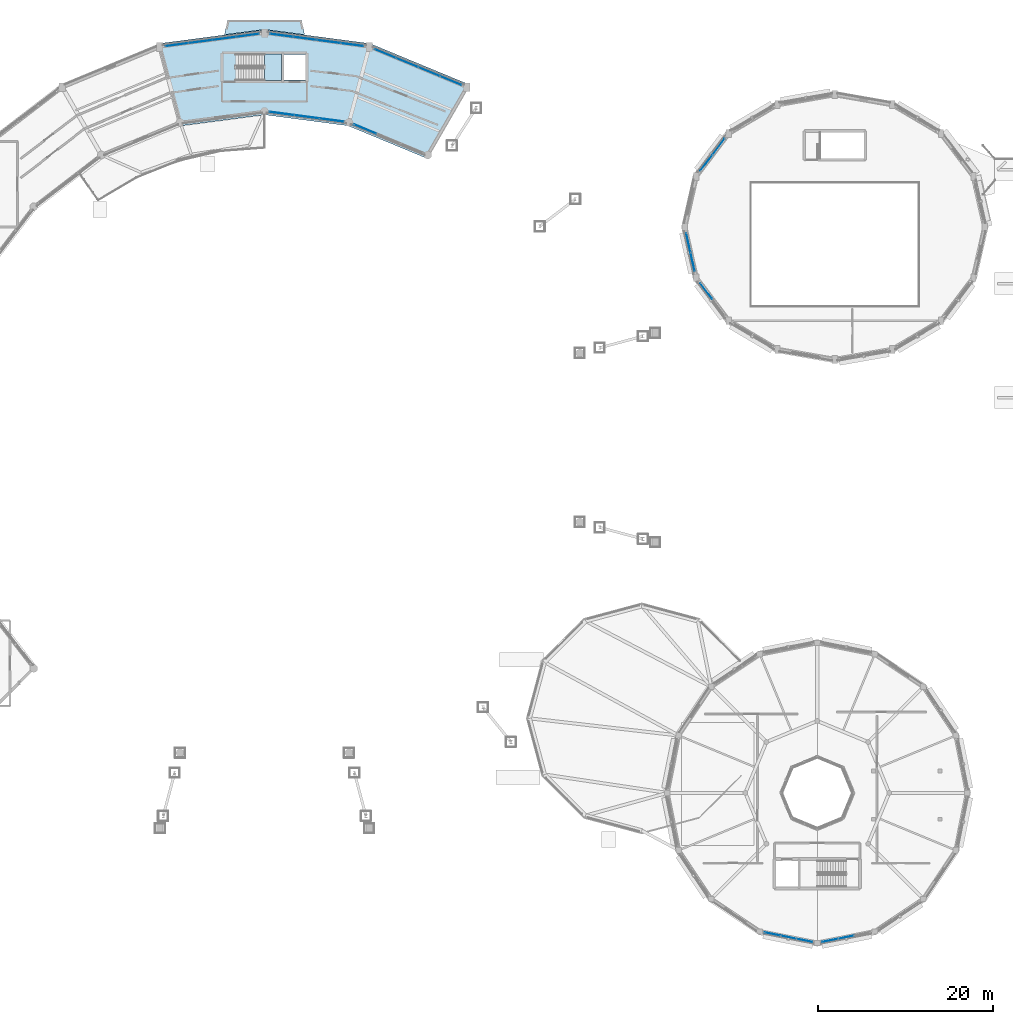
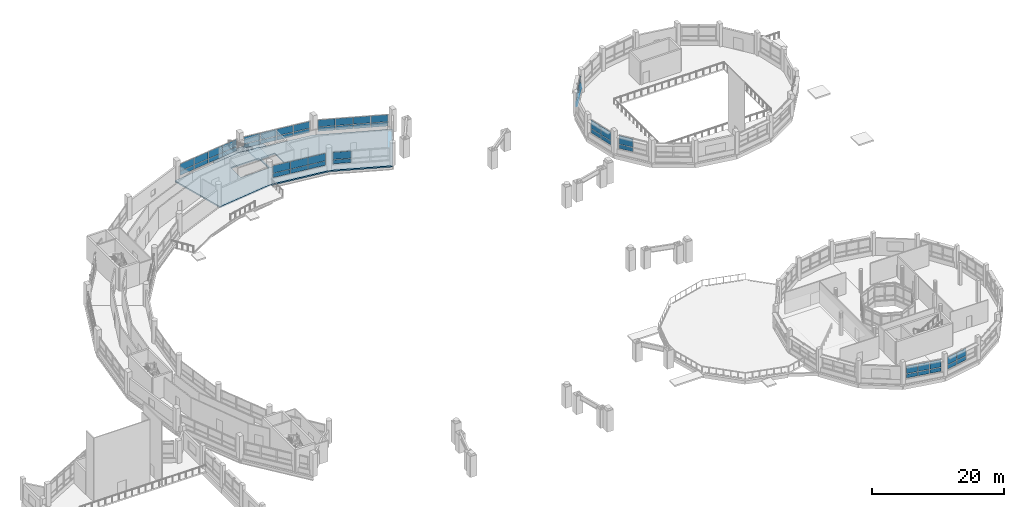
# One storey, part 104 of 128: 52 plates, 3 slabs, 11 elements without a shape of their own.
"""IFC4 building model written with IfcOpenShell, lengths in metres."""

from ifc_helpers import new_model, si_unit, direction, frame, origin, origin_2d, place, context, subcontext, project, spatial, polyline, rectangle, outline, extrude, material, layer, layer_set, type_object, element, aggregate, save


model = new_model("IFC4")

# Units and contexts
model_context = context("Model", 3, precision=1e-05, world=origin(), true_north=direction((0.0, 1.0)))
body_context = subcontext(model_context, "Body", "Model", "MODEL_VIEW")
ifc_project = project(units=[si_unit("LENGTHUNIT", "METRE"), si_unit("AREAUNIT", "SQUARE_METRE"), si_unit("VOLUMEUNIT", "CUBIC_METRE"), si_unit("PLANEANGLEUNIT", "RADIAN"), si_unit("MASSUNIT", "GRAM", prefix="KILO")], contexts=[model_context])

# Site, building, storey
site_placement = place(None, origin())
site = spatial("IfcSite", under=ifc_project, at=site_placement, CompositionType="ELEMENT")
building_placement = place(site_placement, origin())
building = spatial("IfcBuilding", under=site, at=building_placement, Name="Vespera Passage Community Centre", CompositionType="ELEMENT")
storey_placement = place(building_placement, frame((0.0, 0.0, 4.5)))
storey = spatial("IfcBuildingStorey", under=building, at=storey_placement, Name="L01", CompositionType="ELEMENT", Elevation=4.5)

# Curtain wall, plates
ifc_material_1 = material(Name="Anodized aluminium 6063-T6", Category="aluminium")
ifc_layer_1 = layer(ifc_material_1, 0.159912109375)
ifc_layer_set_1 = layer_set([ifc_layer_1], Name="Anodized aluminium 6063-T6")
curtain_wall_type_1 = type_object("IfcCurtainWallType", Name="CW-15E", PredefinedType="NOTDEFINED", material=ifc_layer_set_1)
curtain_wall_1_placement = place(storey_placement, origin())
curtain_wall_1 = element("IfcCurtainWall", 1, at=curtain_wall_1_placement, inside=storey, type_object=curtain_wall_type_1, Name="V4 L01 Outer Ribbon Curtain Wall 6", PredefinedType="NOTDEFINED")
ifc_material_2 = material(Name="Low-E insulated vision glass", Category="glass")
ifc_layer_2 = layer(ifc_material_2, 0.02001953125)
ifc_layer_set_2 = layer_set([ifc_layer_2], Name="Low-E insulated vision glass")
plate_type_1 = type_object("IfcPlateType", Name="PL-CWP-20E", PredefinedType="CURTAIN_PANEL", material=ifc_layer_set_2)
plate_1_placement = place(storey_placement, frame((68.01708984375, 110.28564453125, 0.8798828125), z_axis=(0.0, 0.0, 1.0), x_axis=(0.991444252276, 0.130530818696, 0.0)))
plate_1 = element("IfcPlate", 2, at=plate_1_placement, type_object=plate_type_1, Name="CW-15E panel 1.1", PredefinedType="CURTAIN_PANEL", context=body_context, shape_type="SweptSolid", body=[
    extrude(rectangle(XDim=2.614501953125, YDim=0.02001953125, at=origin_2d()), origin(), (0.0, 0.0, 1.0), 0.760009765625),
])
plate_2_placement = place(storey_placement, frame((68.01708984375, 110.28564453125, 1.699951171875), z_axis=(0.0, 0.0, 1.0), x_axis=(0.991444252276, 0.130530818696, 0.0)))
plate_2 = element("IfcPlate", 3, at=plate_2_placement, type_object=plate_type_1, Name="CW-15E panel 1.2", PredefinedType="CURTAIN_PANEL", context=body_context, shape_type="SweptSolid", body=[
    extrude(rectangle(XDim=2.614501953125, YDim=0.02001953125, at=origin_2d()), origin(), (0.0, 0.0, 1.0), 1.28564453125),
])
plate_3_placement = place(storey_placement, frame((70.689697265625, 110.6376953125, 0.8798828125), z_axis=(0.0, 0.0, 1.0), x_axis=(0.991444252276, 0.130530818696, 0.0)))
plate_3 = element("IfcPlate", 4, at=plate_3_placement, type_object=plate_type_1, Name="CW-15E panel 2.1", PredefinedType="CURTAIN_PANEL", context=body_context, shape_type="SweptSolid", body=[
    extrude(rectangle(XDim=2.64697265625, YDim=0.02001953125, at=origin_2d()), origin(), (0.0, 0.0, 1.0), 0.760009765625),
])
plate_4_placement = place(storey_placement, frame((70.689697265625, 110.6376953125, 1.699951171875), z_axis=(0.0, 0.0, 1.0), x_axis=(0.991444252276, 0.130530818696, 0.0)))
plate_4 = element("IfcPlate", 5, at=plate_4_placement, type_object=plate_type_1, Name="CW-15E panel 2.2", PredefinedType="CURTAIN_PANEL", context=body_context, shape_type="SweptSolid", body=[
    extrude(rectangle(XDim=2.64697265625, YDim=0.02001953125, at=origin_2d()), origin(), (0.0, 0.0, 1.0), 1.28564453125),
])
plate_5_placement = place(storey_placement, frame((73.378662109375, 110.99169921875, 0.8798828125), z_axis=(0.0, 0.0, 1.0), x_axis=(0.991444252276, 0.130530818696, 0.0)))
plate_5 = element("IfcPlate", 6, at=plate_5_placement, type_object=plate_type_1, Name="CW-15E panel 3.1", PredefinedType="CURTAIN_PANEL", context=body_context, shape_type="SweptSolid", body=[
    extrude(rectangle(XDim=2.64697265625, YDim=0.02001953125, at=origin_2d()), origin(), (0.0, 0.0, 1.0), 0.760009765625),
])
plate_6_placement = place(storey_placement, frame((73.378662109375, 110.99169921875, 1.699951171875), z_axis=(0.0, 0.0, 1.0), x_axis=(0.991444252276, 0.130530818696, 0.0)))
plate_6 = element("IfcPlate", 7, at=plate_6_placement, type_object=plate_type_1, Name="CW-15E panel 3.2", PredefinedType="CURTAIN_PANEL", context=body_context, shape_type="SweptSolid", body=[
    extrude(rectangle(XDim=2.64697265625, YDim=0.02001953125, at=origin_2d()), origin(), (0.0, 0.0, 1.0), 1.28564453125),
])
plate_7_placement = place(storey_placement, frame((76.05126953125, 111.343505859375, 0.8798828125), z_axis=(0.0, 0.0, 1.0), x_axis=(0.991444252276, 0.130530818696, 0.0)))
plate_7 = element("IfcPlate", 8, at=plate_7_placement, type_object=plate_type_1, Name="CW-15E panel 4.1", PredefinedType="CURTAIN_PANEL", context=body_context, shape_type="SweptSolid", body=[
    extrude(rectangle(XDim=2.614501953125, YDim=0.02001953125, at=origin_2d()), origin(), (0.0, 0.0, 1.0), 0.760009765625),
])
plate_8_placement = place(storey_placement, frame((76.05126953125, 111.343505859375, 1.699951171875), z_axis=(0.0, 0.0, 1.0), x_axis=(0.991444252276, 0.130530818696, 0.0)))
plate_8 = element("IfcPlate", 9, at=plate_8_placement, type_object=plate_type_1, Name="CW-15E panel 4.2", PredefinedType="CURTAIN_PANEL", context=body_context, shape_type="SweptSolid", body=[
    extrude(rectangle(XDim=2.614501953125, YDim=0.02001953125, at=origin_2d()), origin(), (0.0, 0.0, 1.0), 1.28564453125),
])
aggregate(curtain_wall_1, [plate_1, plate_2, plate_3, plate_4, plate_5, plate_6, plate_7, plate_8])

ifc_material_3 = material(Name="Anodized aluminium 6063-T6", Category="aluminium")
ifc_layer_3 = layer(ifc_material_3, 0.159912109375)
ifc_layer_set_3 = layer_set([ifc_layer_3], Name="Anodized aluminium 6063-T6")
curtain_wall_type_2 = type_object("IfcCurtainWallType", Name="CW-105E", PredefinedType="NOTDEFINED", material=ifc_layer_set_3)
curtain_wall_2_placement = place(storey_placement, origin())
curtain_wall_2 = element("IfcCurtainWall", 10, at=curtain_wall_2_placement, inside=storey, type_object=curtain_wall_type_2, Name="Dining Drum Ribbon Curtain Wall L01.12", PredefinedType="NOTDEFINED")
plate_9_placement = place(storey_placement, frame((139.5625, 8.18603515625, 0.89990234375), z_axis=(0.0, 0.0, 1.0), x_axis=(-0.980783996069, 0.195096778691, 0.0)))
plate_9 = element("IfcPlate", 11, at=plate_9_placement, type_object=plate_type_1, Name="CW-105E panel 1.1", PredefinedType="CURTAIN_PANEL", context=body_context, shape_type="SweptSolid", body=[
    extrude(rectangle(XDim=1.789306640625, YDim=0.02001953125, at=origin_2d()), origin(), (0.0, 0.0, 1.0), 0.699951171875),
])
plate_10_placement = place(storey_placement, frame((139.5625, 8.18603515625, 1.699951171875), z_axis=(0.0, 0.0, 1.0), x_axis=(-0.980783996069, 0.195096778691, 0.0)))
plate_10 = element("IfcPlate", 12, at=plate_10_placement, type_object=plate_type_1, Name="CW-105E panel 1.2", PredefinedType="CURTAIN_PANEL", context=body_context, shape_type="SweptSolid", body=[
    extrude(rectangle(XDim=1.789306640625, YDim=0.02001953125, at=origin_2d()), origin(), (0.0, 0.0, 1.0), 1.375),
])
plate_11_placement = place(storey_placement, frame((137.72802734375, 8.55078125, 0.89990234375), z_axis=(0.0, 0.0, 1.0), x_axis=(-0.980783996069, 0.195096778691, 0.0)))
plate_11 = element("IfcPlate", 13, at=plate_11_placement, type_object=plate_type_1, Name="CW-105E panel 2.1", PredefinedType="CURTAIN_PANEL", context=body_context, shape_type="SweptSolid", body=[
    extrude(rectangle(XDim=1.82177734375, YDim=0.02001953125, at=origin_2d()), origin(), (0.0, 0.0, 1.0), 0.699951171875),
])
plate_12_placement = place(storey_placement, frame((137.72802734375, 8.55078125, 1.699951171875), z_axis=(0.0, 0.0, 1.0), x_axis=(-0.980783996069, 0.195096778691, 0.0)))
plate_12 = element("IfcPlate", 14, at=plate_12_placement, type_object=plate_type_1, Name="CW-105E panel 2.2", PredefinedType="CURTAIN_PANEL", context=body_context, shape_type="SweptSolid", body=[
    extrude(rectangle(XDim=1.82177734375, YDim=0.02001953125, at=origin_2d()), origin(), (0.0, 0.0, 1.0), 1.375),
])
plate_13_placement = place(storey_placement, frame((135.8935546875, 8.915771484375, 0.89990234375), z_axis=(0.0, 0.0, 1.0), x_axis=(-0.980783996069, 0.195096778691, 0.0)))
plate_13 = element("IfcPlate", 15, at=plate_13_placement, type_object=plate_type_1, Name="CW-105E panel 3.1", PredefinedType="CURTAIN_PANEL", context=body_context, shape_type="SweptSolid", body=[
    extrude(rectangle(XDim=1.789306640625, YDim=0.02001953125, at=origin_2d()), origin(), (0.0, 0.0, 1.0), 0.699951171875),
])
plate_14_placement = place(storey_placement, frame((135.8935546875, 8.915771484375, 1.699951171875), z_axis=(0.0, 0.0, 1.0), x_axis=(-0.980783996069, 0.195096778691, 0.0)))
plate_14 = element("IfcPlate", 16, at=plate_14_placement, type_object=plate_type_1, Name="CW-105E panel 3.2", PredefinedType="CURTAIN_PANEL", context=body_context, shape_type="SweptSolid", body=[
    extrude(rectangle(XDim=1.789306640625, YDim=0.02001953125, at=origin_2d()), origin(), (0.0, 0.0, 1.0), 1.375),
])
aggregate(curtain_wall_2, [plate_9, plate_10, plate_11, plate_12, plate_13, plate_14])

curtain_wall_3_placement = place(storey_placement, origin())
curtain_wall_3 = element("IfcCurtainWall", 17, at=curtain_wall_3_placement, inside=storey, type_object=curtain_wall_type_2, Name="Dining Drum Ribbon Curtain Wall L01.13", PredefinedType="NOTDEFINED")
plate_15_placement = place(storey_placement, frame((144.27197265625, 8.55078125, 0.89990234375), z_axis=(0.0, 0.0, 1.0), x_axis=(-0.980783996069, -0.195096778691, 0.0)))
plate_15 = element("IfcPlate", 18, at=plate_15_placement, type_object=plate_type_1, Name="CW-105E panel 2.1", PredefinedType="CURTAIN_PANEL", context=body_context, shape_type="SweptSolid", body=[
    extrude(rectangle(XDim=1.82177734375, YDim=0.02001953125, at=origin_2d()), origin(), (0.0, 0.0, 1.0), 0.699951171875),
])
plate_16_placement = place(storey_placement, frame((144.27197265625, 8.55078125, 1.699951171875), z_axis=(0.0, 0.0, 1.0), x_axis=(-0.980783996069, -0.195096778691, 0.0)))
plate_16 = element("IfcPlate", 19, at=plate_16_placement, type_object=plate_type_1, Name="CW-105E panel 2.2", PredefinedType="CURTAIN_PANEL", context=body_context, shape_type="SweptSolid", body=[
    extrude(rectangle(XDim=1.82177734375, YDim=0.02001953125, at=origin_2d()), origin(), (0.0, 0.0, 1.0), 1.375),
])
plate_17_placement = place(storey_placement, frame((142.4375, 8.18603515625, 0.89990234375), z_axis=(0.0, 0.0, 1.0), x_axis=(-0.980783996069, -0.195096778691, 0.0)))
plate_17 = element("IfcPlate", 20, at=plate_17_placement, type_object=plate_type_1, Name="CW-105E panel 3.1", PredefinedType="CURTAIN_PANEL", context=body_context, shape_type="SweptSolid", body=[
    extrude(rectangle(XDim=1.789306640625, YDim=0.02001953125, at=origin_2d()), origin(), (0.0, 0.0, 1.0), 0.699951171875),
])
plate_18_placement = place(storey_placement, frame((142.4375, 8.18603515625, 1.699951171875), z_axis=(0.0, 0.0, 1.0), x_axis=(-0.980783996069, -0.195096778691, 0.0)))
plate_18 = element("IfcPlate", 21, at=plate_18_placement, type_object=plate_type_1, Name="CW-105E panel 3.2", PredefinedType="CURTAIN_PANEL", context=body_context, shape_type="SweptSolid", body=[
    extrude(rectangle(XDim=1.789306640625, YDim=0.02001953125, at=origin_2d()), origin(), (0.0, 0.0, 1.0), 1.375),
])
aggregate(curtain_wall_3, [plate_15, plate_16, plate_17, plate_18])

ifc_material_4 = material(Name="Anodized aluminium 6063-T6", Category="aluminium")
ifc_layer_4 = layer(ifc_material_4, 0.159912109375)
ifc_layer_set_4 = layer_set([ifc_layer_4], Name="Anodized aluminium 6063-T6")
curtain_wall_type_3 = type_object("IfcCurtainWallType", Name="CW-11E", PredefinedType="NOTDEFINED", material=ifc_layer_set_4)
curtain_wall_4_placement = place(storey_placement, origin())
curtain_wall_4 = element("IfcCurtainWall", 22, at=curtain_wall_4_placement, inside=storey, type_object=curtain_wall_type_3, Name="V4 L01 Outer Ribbon Curtain Wall 4", PredefinedType="NOTDEFINED")
ifc_material_5 = material(Name="Low-E insulated vision glass", Category="glass")
ifc_layer_5 = layer(ifc_material_5, 0.028076171875)
ifc_layer_set_5 = layer_set([ifc_layer_5], Name="Low-E insulated vision glass")
plate_type_2 = type_object("IfcPlateType", Name="PL-CWP-28E", PredefinedType="CURTAIN_PANEL", material=ifc_layer_set_5)
plate_19_placement = place(storey_placement, frame((91.76904296875, 109.26806640625, 0.8798828125), z_axis=(0.0, 0.0, 1.0), x_axis=(0.923879738007, -0.382682936255, 0.0)))
plate_19 = element("IfcPlate", 23, at=plate_19_placement, type_object=plate_type_2, Name="CW-11E panel 1.1", PredefinedType="CURTAIN_PANEL", context=body_context, shape_type="SweptSolid", body=[
    extrude(rectangle(XDim=2.585693359375, YDim=0.028076171875, at=origin_2d()), origin(), (0.0, 0.0, 1.0), 0.760009765625),
])
plate_20_placement = place(storey_placement, frame((91.76904296875, 109.26806640625, 1.699951171875), z_axis=(0.0, 0.0, 1.0), x_axis=(0.923879738007, -0.382682936255, 0.0)))
plate_20 = element("IfcPlate", 24, at=plate_20_placement, type_object=plate_type_2, Name="CW-11E panel 1.2", PredefinedType="CURTAIN_PANEL", context=body_context, shape_type="SweptSolid", body=[
    extrude(rectangle(XDim=2.585693359375, YDim=0.028076171875, at=origin_2d()), origin(), (0.0, 0.0, 1.0), 1.28564453125),
])
plate_21_placement = place(storey_placement, frame((94.244384765625, 108.24267578125, 0.8798828125), z_axis=(0.0, 0.0, 1.0), x_axis=(0.923879738007, -0.382682936255, 0.0)))
plate_21 = element("IfcPlate", 25, at=plate_21_placement, type_object=plate_type_2, Name="CW-11E panel 2.1", PredefinedType="CURTAIN_PANEL", context=body_context, shape_type="SweptSolid", body=[
    extrude(rectangle(XDim=2.623291015625, YDim=0.028076171875, at=origin_2d()), origin(), (0.0, 0.0, 1.0), 0.760009765625),
])
plate_22_placement = place(storey_placement, frame((94.244384765625, 108.24267578125, 1.699951171875), z_axis=(0.0, 0.0, 1.0), x_axis=(0.923879738007, -0.382682936255, 0.0)))
plate_22 = element("IfcPlate", 26, at=plate_22_placement, type_object=plate_type_2, Name="CW-11E panel 2.2", PredefinedType="CURTAIN_PANEL", context=body_context, shape_type="SweptSolid", body=[
    extrude(rectangle(XDim=2.623291015625, YDim=0.028076171875, at=origin_2d()), origin(), (0.0, 0.0, 1.0), 1.28564453125),
])
plate_23_placement = place(storey_placement, frame((96.7373046875, 107.210205078125, 0.8798828125), z_axis=(0.0, 0.0, 1.0), x_axis=(0.923879738007, -0.382682936255, 0.0)))
plate_23 = element("IfcPlate", 27, at=plate_23_placement, type_object=plate_type_2, Name="CW-11E panel 3.1", PredefinedType="CURTAIN_PANEL", context=body_context, shape_type="SweptSolid", body=[
    extrude(rectangle(XDim=2.623291015625, YDim=0.028076171875, at=origin_2d()), origin(), (0.0, 0.0, 1.0), 0.760009765625),
])
plate_24_placement = place(storey_placement, frame((96.7373046875, 107.210205078125, 1.699951171875), z_axis=(0.0, 0.0, 1.0), x_axis=(0.923879738007, -0.382682936255, 0.0)))
plate_24 = element("IfcPlate", 28, at=plate_24_placement, type_object=plate_type_2, Name="CW-11E panel 3.2", PredefinedType="CURTAIN_PANEL", context=body_context, shape_type="SweptSolid", body=[
    extrude(rectangle(XDim=2.623291015625, YDim=0.028076171875, at=origin_2d()), origin(), (0.0, 0.0, 1.0), 1.28564453125),
])
plate_25_placement = place(storey_placement, frame((99.212646484375, 106.184814453125, 0.8798828125), z_axis=(0.0, 0.0, 1.0), x_axis=(0.923879738007, -0.382682936255, 0.0)))
plate_25 = element("IfcPlate", 29, at=plate_25_placement, type_object=plate_type_2, Name="CW-11E panel 4.1", PredefinedType="CURTAIN_PANEL", context=body_context, shape_type="SweptSolid", body=[
    extrude(rectangle(XDim=2.585693359375, YDim=0.028076171875, at=origin_2d()), origin(), (0.0, 0.0, 1.0), 0.760009765625),
])
plate_26_placement = place(storey_placement, frame((99.212646484375, 106.184814453125, 1.699951171875), z_axis=(0.0, 0.0, 1.0), x_axis=(0.923879738007, -0.382682936255, 0.0)))
plate_26 = element("IfcPlate", 30, at=plate_26_placement, type_object=plate_type_2, Name="CW-11E panel 4.2", PredefinedType="CURTAIN_PANEL", context=body_context, shape_type="SweptSolid", body=[
    extrude(rectangle(XDim=2.585693359375, YDim=0.028076171875, at=origin_2d()), origin(), (0.0, 0.0, 1.0), 1.28564453125),
])
aggregate(curtain_wall_4, [plate_19, plate_20, plate_21, plate_22, plate_23, plate_24, plate_25, plate_26])

ifc_material_6 = material(Name="Anodized aluminium 6063-T6", Category="aluminium")
ifc_layer_6 = layer(ifc_material_6, 0.159912109375)
ifc_layer_set_6 = layer_set([ifc_layer_6], Name="Anodized aluminium 6063-T6")
curtain_wall_type_4 = type_object("IfcCurtainWallType", Name="CW-12E", PredefinedType="NOTDEFINED", material=ifc_layer_set_6)
curtain_wall_5_placement = place(storey_placement, origin())
curtain_wall_5 = element("IfcCurtainWall", 31, at=curtain_wall_5_placement, inside=storey, type_object=curtain_wall_type_4, Name="V4 L01 Inner Court Curtain Wall 4", PredefinedType="NOTDEFINED")
plate_27_placement = place(storey_placement, frame((89.47314453125, 100.668212890625, 0.919921875), z_axis=(0.0, 0.0, 1.0), x_axis=(-0.923876620096, 0.382690463482, 0.0)))
plate_27 = element("IfcPlate", 32, at=plate_27_placement, type_object=plate_type_2, Name="CW-12E panel 3.1", PredefinedType="CURTAIN_PANEL", context=body_context, shape_type="SweptSolid", body=[
    extrude(rectangle(XDim=2.7646484375, YDim=0.028076171875, at=origin_2d()), origin(), (0.0, 0.0, 1.0), 0.699951171875),
])
plate_28_placement = place(storey_placement, frame((89.47314453125, 100.668212890625, 1.719970703125), z_axis=(0.0, 0.0, 1.0), x_axis=(-0.923876620096, 0.382690463482, 0.0)))
plate_28 = element("IfcPlate", 33, at=plate_28_placement, type_object=plate_type_2, Name="CW-12E panel 3.2", PredefinedType="CURTAIN_PANEL", context=body_context, shape_type="SweptSolid", body=[
    extrude(rectangle(XDim=2.7646484375, YDim=0.028076171875, at=origin_2d()), origin(), (0.0, 0.0, 1.0), 1.3095703125),
])
aggregate(curtain_wall_5, [plate_27, plate_28])

ifc_material_7 = material(Name="Anodized aluminium 6063-T6", Category="aluminium")
ifc_layer_7 = layer(ifc_material_7, 0.159912109375)
ifc_layer_set_7 = layer_set([ifc_layer_7], Name="Anodized aluminium 6063-T6")
curtain_wall_type_5 = type_object("IfcCurtainWallType", Name="CW-96E", PredefinedType="NOTDEFINED", material=ifc_layer_set_7)
curtain_wall_6_placement = place(storey_placement, origin())
curtain_wall_6 = element("IfcCurtainWall", 34, at=curtain_wall_6_placement, inside=storey, type_object=curtain_wall_type_5, Name="Sports Drum Ribbon Curtain Wall L01.7", PredefinedType="NOTDEFINED")
plate_29_placement = place(storey_placement, frame((128.3544921875, 96.802001953125, 0.91015625), z_axis=(0.0, 0.0, 1.0), x_axis=(0.603405522961, 0.797434495654, 0.0)))
plate_29 = element("IfcPlate", 35, at=plate_29_placement, type_object=plate_type_2, Name="CW-96E panel 1.1", PredefinedType="CURTAIN_PANEL", context=body_context, shape_type="SweptSolid", body=[
    extrude(rectangle(XDim=2.246826171875, YDim=0.028076171875, at=origin_2d()), origin(), (0.0, 0.0, 1.0), 0.760009765625),
])
plate_30_placement = place(storey_placement, frame((128.3544921875, 96.802001953125, 1.72998046875), z_axis=(0.0, 0.0, 1.0), x_axis=(0.603405522961, 0.797434495654, 0.0)))
plate_30 = element("IfcPlate", 36, at=plate_30_placement, type_object=plate_type_2, Name="CW-96E panel 1.2", PredefinedType="CURTAIN_PANEL", context=body_context, shape_type="SweptSolid", body=[
    extrude(rectangle(XDim=2.246826171875, YDim=0.028076171875, at=origin_2d()), origin(), (0.0, 0.0, 1.0), 1.574951171875),
])
plate_31_placement = place(storey_placement, frame((129.755615234375, 98.65380859375, 0.91015625), z_axis=(0.0, 0.0, 1.0), x_axis=(0.603405522961, 0.797434495654, 0.0)))
plate_31 = element("IfcPlate", 37, at=plate_31_placement, type_object=plate_type_2, Name="CW-96E panel 2.1", PredefinedType="CURTAIN_PANEL", context=body_context, shape_type="SweptSolid", body=[
    extrude(rectangle(XDim=2.246826171875, YDim=0.028076171875, at=origin_2d()), origin(), (0.0, 0.0, 1.0), 0.760009765625),
])
plate_32_placement = place(storey_placement, frame((129.755615234375, 98.65380859375, 1.72998046875), z_axis=(0.0, 0.0, 1.0), x_axis=(0.603405522961, 0.797434495654, 0.0)))
plate_32 = element("IfcPlate", 38, at=plate_32_placement, type_object=plate_type_2, Name="CW-96E panel 2.2", PredefinedType="CURTAIN_PANEL", context=body_context, shape_type="SweptSolid", body=[
    extrude(rectangle(XDim=2.246826171875, YDim=0.028076171875, at=origin_2d()), origin(), (0.0, 0.0, 1.0), 1.574951171875),
])
aggregate(curtain_wall_6, [plate_29, plate_30, plate_31, plate_32])

ifc_material_8 = material(Name="Anodized aluminium 6063-T6", Category="aluminium")
ifc_layer_8 = layer(ifc_material_8, 0.159912109375)
ifc_layer_set_8 = layer_set([ifc_layer_8], Name="Anodized aluminium 6063-T6")
curtain_wall_type_6 = type_object("IfcCurtainWallType", Name="CW-93E", PredefinedType="NOTDEFINED", material=ifc_layer_set_8)
curtain_wall_7_placement = place(storey_placement, origin())
curtain_wall_7 = element("IfcCurtainWall", 39, at=curtain_wall_7_placement, inside=storey, type_object=curtain_wall_type_6, Name="Sports Drum Ribbon Curtain Wall L01.9", PredefinedType="NOTDEFINED")
plate_33_placement = place(storey_placement, frame((126.7978515625, 85.51416015625, 0.91015625), z_axis=(0.0, 0.0, 1.0), x_axis=(-0.219762591846, 0.975553383073, 0.0)))
plate_33 = element("IfcPlate", 40, at=plate_33_placement, type_object=plate_type_2, Name="CW-93E panel 1.1", PredefinedType="CURTAIN_PANEL", context=body_context, shape_type="SweptSolid", body=[
    extrude(rectangle(XDim=2.1728515625, YDim=0.028076171875, at=origin_2d()), origin(), (0.0, 0.0, 1.0), 0.760009765625),
])
plate_34_placement = place(storey_placement, frame((126.7978515625, 85.51416015625, 1.72998046875), z_axis=(0.0, 0.0, 1.0), x_axis=(-0.219762591846, 0.975553383073, 0.0)))
plate_34 = element("IfcPlate", 41, at=plate_34_placement, type_object=plate_type_2, Name="CW-93E panel 1.2", PredefinedType="CURTAIN_PANEL", context=body_context, shape_type="SweptSolid", body=[
    extrude(rectangle(XDim=2.1728515625, YDim=0.028076171875, at=origin_2d()), origin(), (0.0, 0.0, 1.0), 1.574951171875),
])
plate_35_placement = place(storey_placement, frame((126.303955078125, 87.707275390625, 0.91015625), z_axis=(0.0, 0.0, 1.0), x_axis=(-0.219762591846, 0.975553383073, 0.0)))
plate_35 = element("IfcPlate", 42, at=plate_35_placement, type_object=plate_type_2, Name="CW-93E panel 2.1", PredefinedType="CURTAIN_PANEL", context=body_context, shape_type="SweptSolid", body=[
    extrude(rectangle(XDim=2.1728515625, YDim=0.028076171875, at=origin_2d()), origin(), (0.0, 0.0, 1.0), 0.760009765625),
])
plate_36_placement = place(storey_placement, frame((126.303955078125, 87.707275390625, 1.72998046875), z_axis=(0.0, 0.0, 1.0), x_axis=(-0.219762591846, 0.975553383073, 0.0)))
plate_36 = element("IfcPlate", 43, at=plate_36_placement, type_object=plate_type_2, Name="CW-93E panel 2.2", PredefinedType="CURTAIN_PANEL", context=body_context, shape_type="SweptSolid", body=[
    extrude(rectangle(XDim=2.1728515625, YDim=0.028076171875, at=origin_2d()), origin(), (0.0, 0.0, 1.0), 1.574951171875),
])
aggregate(curtain_wall_7, [plate_33, plate_34, plate_35, plate_36])

curtain_wall_8_placement = place(storey_placement, origin())
curtain_wall_8 = element("IfcCurtainWall", 44, at=curtain_wall_8_placement, inside=storey, type_object=curtain_wall_type_5, Name="Sports Drum Ribbon Curtain Wall L01.10", PredefinedType="NOTDEFINED")
plate_37_placement = place(storey_placement, frame((128.3544921875, 82.197998046875, 0.91015625), z_axis=(0.0, 0.0, 1.0), x_axis=(-0.603405522961, 0.797434495654, 0.0)))
plate_37 = element("IfcPlate", 45, at=plate_37_placement, type_object=plate_type_2, Name="CW-96E panel 2.1", PredefinedType="CURTAIN_PANEL", context=body_context, shape_type="SweptSolid", body=[
    extrude(rectangle(XDim=2.246826171875, YDim=0.028076171875, at=origin_2d()), origin(), (0.0, 0.0, 1.0), 0.760009765625),
])
plate_38_placement = place(storey_placement, frame((128.3544921875, 82.197998046875, 1.72998046875), z_axis=(0.0, 0.0, 1.0), x_axis=(-0.603405522961, 0.797434495654, 0.0)))
plate_38 = element("IfcPlate", 46, at=plate_38_placement, type_object=plate_type_2, Name="CW-96E panel 2.2", PredefinedType="CURTAIN_PANEL", context=body_context, shape_type="SweptSolid", body=[
    extrude(rectangle(XDim=2.246826171875, YDim=0.028076171875, at=origin_2d()), origin(), (0.0, 0.0, 1.0), 1.574951171875),
])
aggregate(curtain_wall_8, [plate_37, plate_38])

ifc_material_9 = material(Name="Anodized aluminium 6063-T6", Category="aluminium")
ifc_layer_9 = layer(ifc_material_9, 0.159912109375)
ifc_layer_set_9 = layer_set([ifc_layer_9], Name="Anodized aluminium 6063-T6")
curtain_wall_type_7 = type_object("IfcCurtainWallType", Name="CW-13E", PredefinedType="NOTDEFINED", material=ifc_layer_set_9)
curtain_wall_9_placement = place(storey_placement, origin())
curtain_wall_9 = element("IfcCurtainWall", 47, at=curtain_wall_9_placement, inside=storey, type_object=curtain_wall_type_7, Name="V4 L01 Outer Ribbon Curtain Wall 5", PredefinedType="NOTDEFINED")
ifc_material_10 = material(Name="Acoustic triple-glazed vision glass", Category="glass")
ifc_layer_10 = layer(ifc_material_10, 0.035888671875)
ifc_layer_set_10 = layer_set([ifc_layer_10], Name="Acoustic triple-glazed vision glass")
plate_type_3 = type_object("IfcPlateType", Name="PL-CWP-36E", PredefinedType="CURTAIN_PANEL", material=ifc_layer_set_10)
plate_39_placement = place(storey_placement, frame((79.951171875, 111.34326171875, 0.919921875), z_axis=(0.0, 0.0, 1.0), x_axis=(0.991444252276, -0.130530818696, 0.0)))
plate_39 = element("IfcPlate", 48, at=plate_39_placement, type_object=plate_type_3, Name="CW-13E panel 1.1", PredefinedType="CURTAIN_PANEL", context=body_context, shape_type="SweptSolid", body=[
    extrude(rectangle(XDim=2.599609375, YDim=0.035888671875, at=origin_2d()), origin(), (0.0, 0.0, 1.0), 0.699951171875),
])
plate_40_placement = place(storey_placement, frame((79.951171875, 111.34326171875, 1.719970703125), z_axis=(0.0, 0.0, 1.0), x_axis=(0.991444252276, -0.130530818696, 0.0)))
plate_40 = element("IfcPlate", 49, at=plate_40_placement, type_object=plate_type_3, Name="CW-13E panel 1.2", PredefinedType="CURTAIN_PANEL", context=body_context, shape_type="SweptSolid", body=[
    extrude(rectangle(XDim=2.599609375, YDim=0.035888671875, at=origin_2d()), origin(), (0.0, 0.0, 1.0), 1.2255859375),
])
plate_41_placement = place(storey_placement, frame((82.621337890625, 110.99169921875, 0.919921875), z_axis=(0.0, 0.0, 1.0), x_axis=(0.991444252276, -0.130530818696, 0.0)))
plate_41 = element("IfcPlate", 50, at=plate_41_placement, type_object=plate_type_3, Name="CW-13E panel 2.1", PredefinedType="CURTAIN_PANEL", context=body_context, shape_type="SweptSolid", body=[
    extrude(rectangle(XDim=2.636962890625, YDim=0.035888671875, at=origin_2d()), origin(), (0.0, 0.0, 1.0), 0.699951171875),
])
plate_42_placement = place(storey_placement, frame((82.621337890625, 110.99169921875, 1.719970703125), z_axis=(0.0, 0.0, 1.0), x_axis=(0.991444252276, -0.130530818696, 0.0)))
plate_42 = element("IfcPlate", 51, at=plate_42_placement, type_object=plate_type_3, Name="CW-13E panel 2.2", PredefinedType="CURTAIN_PANEL", context=body_context, shape_type="SweptSolid", body=[
    extrude(rectangle(XDim=2.636962890625, YDim=0.035888671875, at=origin_2d()), origin(), (0.0, 0.0, 1.0), 1.2255859375),
])
plate_43_placement = place(storey_placement, frame((85.310302734375, 110.6376953125, 0.919921875), z_axis=(0.0, 0.0, 1.0), x_axis=(0.991444252276, -0.130530818696, 0.0)))
plate_43 = element("IfcPlate", 52, at=plate_43_placement, type_object=plate_type_3, Name="CW-13E panel 3.1", PredefinedType="CURTAIN_PANEL", context=body_context, shape_type="SweptSolid", body=[
    extrude(rectangle(XDim=2.636962890625, YDim=0.035888671875, at=origin_2d()), origin(), (0.0, 0.0, 1.0), 0.699951171875),
])
plate_44_placement = place(storey_placement, frame((85.310302734375, 110.6376953125, 1.719970703125), z_axis=(0.0, 0.0, 1.0), x_axis=(0.991444252276, -0.130530818696, 0.0)))
plate_44 = element("IfcPlate", 53, at=plate_44_placement, type_object=plate_type_3, Name="CW-13E panel 3.2", PredefinedType="CURTAIN_PANEL", context=body_context, shape_type="SweptSolid", body=[
    extrude(rectangle(XDim=2.636962890625, YDim=0.035888671875, at=origin_2d()), origin(), (0.0, 0.0, 1.0), 1.2255859375),
])
plate_45_placement = place(storey_placement, frame((87.98046875, 110.2861328125, 0.919921875), z_axis=(0.0, 0.0, 1.0), x_axis=(0.991444252276, -0.130530818696, 0.0)))
plate_45 = element("IfcPlate", 54, at=plate_45_placement, type_object=plate_type_3, Name="CW-13E panel 4.1", PredefinedType="CURTAIN_PANEL", context=body_context, shape_type="SweptSolid", body=[
    extrude(rectangle(XDim=2.599609375, YDim=0.035888671875, at=origin_2d()), origin(), (0.0, 0.0, 1.0), 0.699951171875),
])
plate_46_placement = place(storey_placement, frame((87.98046875, 110.2861328125, 1.719970703125), z_axis=(0.0, 0.0, 1.0), x_axis=(0.991444252276, -0.130530818696, 0.0)))
plate_46 = element("IfcPlate", 55, at=plate_46_placement, type_object=plate_type_3, Name="CW-13E panel 4.2", PredefinedType="CURTAIN_PANEL", context=body_context, shape_type="SweptSolid", body=[
    extrude(rectangle(XDim=2.599609375, YDim=0.035888671875, at=origin_2d()), origin(), (0.0, 0.0, 1.0), 1.2255859375),
])
aggregate(curtain_wall_9, [plate_39, plate_40, plate_41, plate_42, plate_43, plate_44, plate_45, plate_46])

ifc_material_11 = material(Name="Anodized aluminium 6063-T6", Category="aluminium")
ifc_layer_11 = layer(ifc_material_11, 0.159912109375)
ifc_layer_set_11 = layer_set([ifc_layer_11], Name="Anodized aluminium 6063-T6")
curtain_wall_type_8 = type_object("IfcCurtainWallType", Name="CW-14E", PredefinedType="NOTDEFINED", material=ifc_layer_set_11)
curtain_wall_10_placement = place(storey_placement, origin())
curtain_wall_10 = element("IfcCurtainWall", 56, at=curtain_wall_10_placement, inside=storey, type_object=curtain_wall_type_8, Name="V4 L01 Inner Court Curtain Wall 5", PredefinedType="NOTDEFINED")
plate_47_placement = place(storey_placement, frame((85.665283203125, 101.69091796875, 0.8798828125), z_axis=(0.0, 0.0, 1.0), x_axis=(-0.991445387728, 0.1305221941, 0.0)))
plate_47 = element("IfcPlate", 57, at=plate_47_placement, type_object=plate_type_3, Name="CW-14E panel 1.1", PredefinedType="CURTAIN_PANEL", context=body_context, shape_type="SweptSolid", body=[
    extrude(rectangle(XDim=2.79443359375, YDim=0.035888671875, at=origin_2d()), origin(), (0.0, 0.0, 1.0), 0.760009765625),
])
plate_48_placement = place(storey_placement, frame((85.665283203125, 101.69091796875, 1.7001953125), z_axis=(0.0, 0.0, 1.0), x_axis=(-0.991445387728, 0.1305221941, 0.0)))
plate_48 = element("IfcPlate", 58, at=plate_48_placement, type_object=plate_type_3, Name="CW-14E panel 1.2", PredefinedType="CURTAIN_PANEL", context=body_context, shape_type="SweptSolid", body=[
    extrude(rectangle(XDim=2.79443359375, YDim=0.035888671875, at=origin_2d()), origin(), (0.0, 0.0, 1.0), 1.369384765625),
])
plate_49_placement = place(storey_placement, frame((82.81396484375, 102.066162109375, 0.8798828125), z_axis=(0.0, 0.0, 1.0), x_axis=(-0.991445387728, 0.1305221941, 0.0)))
plate_49 = element("IfcPlate", 59, at=plate_49_placement, type_object=plate_type_3, Name="CW-14E panel 2.1", PredefinedType="CURTAIN_PANEL", context=body_context, shape_type="SweptSolid", body=[
    extrude(rectangle(XDim=2.826904296875, YDim=0.035888671875, at=origin_2d()), origin(), (0.0, 0.0, 1.0), 0.760009765625),
])
plate_50_placement = place(storey_placement, frame((82.81396484375, 102.066162109375, 1.7001953125), z_axis=(0.0, 0.0, 1.0), x_axis=(-0.991445387728, 0.1305221941, 0.0)))
plate_50 = element("IfcPlate", 60, at=plate_50_placement, type_object=plate_type_3, Name="CW-14E panel 2.2", PredefinedType="CURTAIN_PANEL", context=body_context, shape_type="SweptSolid", body=[
    extrude(rectangle(XDim=2.826904296875, YDim=0.035888671875, at=origin_2d()), origin(), (0.0, 0.0, 1.0), 1.369384765625),
])
plate_51_placement = place(storey_placement, frame((79.962890625, 102.441650390625, 0.8798828125), z_axis=(0.0, 0.0, 1.0), x_axis=(-0.991445387728, 0.1305221941, 0.0)))
plate_51 = element("IfcPlate", 61, at=plate_51_placement, type_object=plate_type_3, Name="CW-14E panel 3.1", PredefinedType="CURTAIN_PANEL", context=body_context, shape_type="SweptSolid", body=[
    extrude(rectangle(XDim=2.79443359375, YDim=0.035888671875, at=origin_2d()), origin(), (0.0, 0.0, 1.0), 0.760009765625),
])
plate_52_placement = place(storey_placement, frame((79.962890625, 102.441650390625, 1.7001953125), z_axis=(0.0, 0.0, 1.0), x_axis=(-0.991445387728, 0.1305221941, 0.0)))
plate_52 = element("IfcPlate", 62, at=plate_52_placement, type_object=plate_type_3, Name="CW-14E panel 3.2", PredefinedType="CURTAIN_PANEL", context=body_context, shape_type="SweptSolid", body=[
    extrude(rectangle(XDim=2.79443359375, YDim=0.035888671875, at=origin_2d()), origin(), (0.0, 0.0, 1.0), 1.369384765625),
])
aggregate(curtain_wall_10, [plate_47, plate_48, plate_49, plate_50, plate_51, plate_52])

# Slab
ifc_material_12 = material(Name="Concrete f'c 35 MPa", Category="concrete")
ifc_layer_12 = layer(ifc_material_12, 0.239990234375)
ifc_layer_set_12 = layer_set([ifc_layer_12], Name="Concrete f'c 35 MPa")
slab_type_1 = type_object("IfcSlabType", Name="SL-CANOPY-240E", PredefinedType="ROOF", material=ifc_layer_set_12)
slab_1_placement = place(storey_placement, frame((0.0, 0.0, -0.239990234375)))
element("IfcSlab", 63, at=slab_1_placement, inside=storey, type_object=slab_type_1, Name="V4 North Park Porch Canopy Slab", PredefinedType="ROOF", context=body_context, shape_type="SweptSolid", body=[
    extrude(outline(polyline([(73.800048828125, 113.10009765625), (82.199951171875, 113.10009765625), (82.574951171875, 111.412841796875), (78.0, 112.01513671875), (73.425048828125, 111.412841796875), (73.800048828125, 113.10009765625)])), origin(), (0.0, 0.0, 1.0), 0.239990234375),
])

# Stair, slab
ifc_material_13 = material(Name="Concrete f'c 35 MPa", Category="concrete")
stair_type = type_object("IfcStairType", Name="ST-T10", PredefinedType="HALF_TURN_STAIR", material=ifc_material_13)
stair_placement = place(storey_placement, origin())
stair = element("IfcStair", 64, at=stair_placement, inside=storey, type_object=stair_type, Name="L01 Core C4 Exit Stair ST06", PredefinedType="HALF_TURN_STAIR")
ifc_material_14 = material(Name="Concrete f'c 35 MPa", Category="concrete")
ifc_layer_13 = layer(ifc_material_14, 0.199951171875)
ifc_layer_set_13 = layer_set([ifc_layer_13], Name="Concrete f'c 35 MPa")
slab_type_2 = type_object("IfcSlabType", Name="SL-LAND-200I", PredefinedType="LANDING", material=ifc_layer_set_13)
slab_2_placement = place(storey_placement, frame((0.0, 0.0, 1.89990234375)))
slab_2 = element("IfcSlab", 65, at=slab_2_placement, type_object=slab_type_2, Name="ST06 landing 1", PredefinedType="LANDING", context=body_context, shape_type="SweptSolid", body=[
    extrude(outline(polyline([(78.0048828125, 106.199951171875), (79.955078125, 106.199951171875), (79.955078125, 109.199951171875), (78.0048828125, 109.199951171875), (78.0048828125, 106.199951171875)])), origin(), (0.0, 0.0, 1.0), 0.2001953125),
])
aggregate(stair, [slab_2])

# Slab
ifc_material_15 = material(Name="Concrete f'c 35 MPa", Category="concrete")
ifc_layer_14 = layer(ifc_material_15, 0.239990234375)
ifc_layer_set_14 = layer_set([ifc_layer_14], Name="Concrete f'c 35 MPa")
slab_type_3 = type_object("IfcSlabType", Name="SL-TYP-240", PredefinedType="FLOOR", material=ifc_layer_set_14)
slab_3_placement = place(storey_placement, frame((0.0, 0.0, -0.239990234375)))
element("IfcSlab", 66, at=slab_3_placement, inside=storey, type_object=slab_type_3, Name="V4 L01 Annular Sector 1 Slab", PredefinedType="FLOOR", context=body_context, shape_type="SweptSolid", body=[
    extrude(outline(polyline([(87.5244140625, 101.046142578125), (78.0, 102.300048828125), (68.4755859375, 101.046142578125), (65.96484375, 110.41552734375), (78.0, 112.0), (90.03515625, 110.41552734375), (101.25, 105.770263671875), (96.39990234375, 97.36962890625), (87.5244140625, 101.046142578125)]), holes=[polyline([(79.955078125, 109.199951171875), (74.985107421875, 109.199951171875), (74.985107421875, 106.199951171875), (79.955078125, 106.199951171875), (79.955078125, 109.199951171875)]), polyline([(82.695068359375, 106.25), (82.695068359375, 109.14990234375), (80.195068359375, 109.14990234375), (80.195068359375, 106.25), (82.695068359375, 106.25)])]), origin(), (0.0, 0.0, 1.0), 0.239990234375),
])

save(model, "model.ifc")
